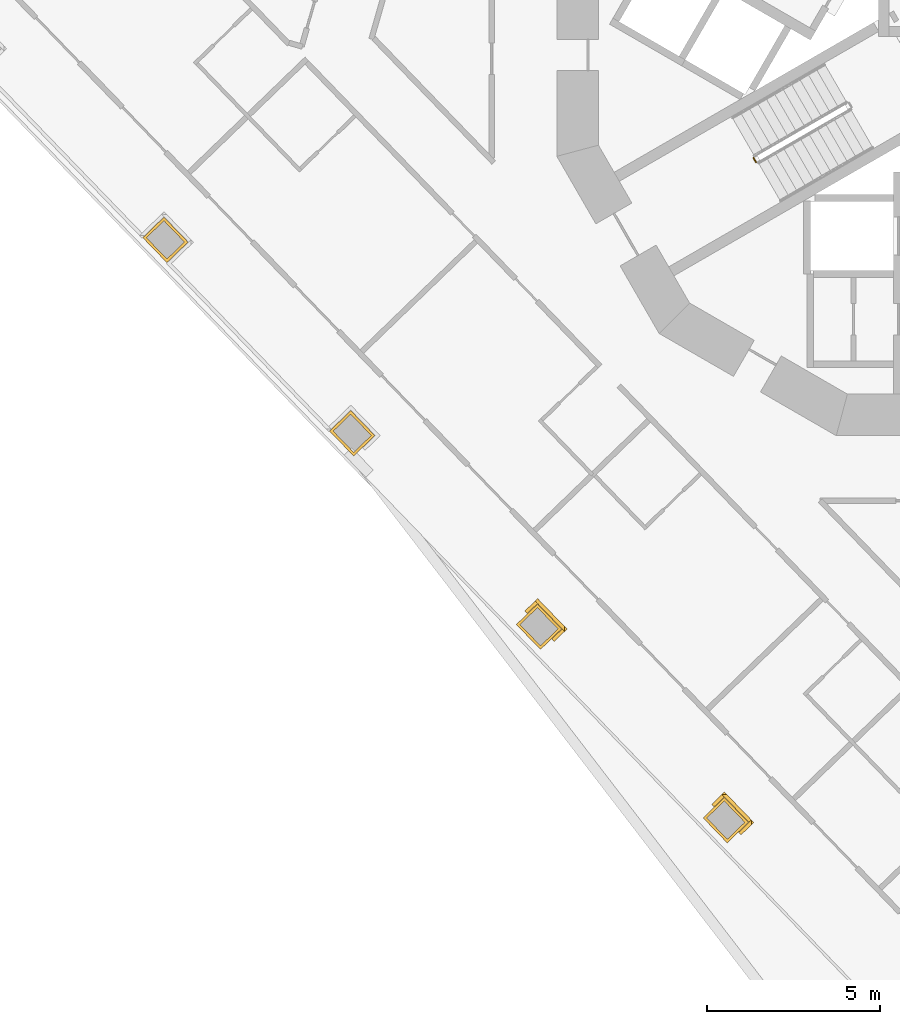
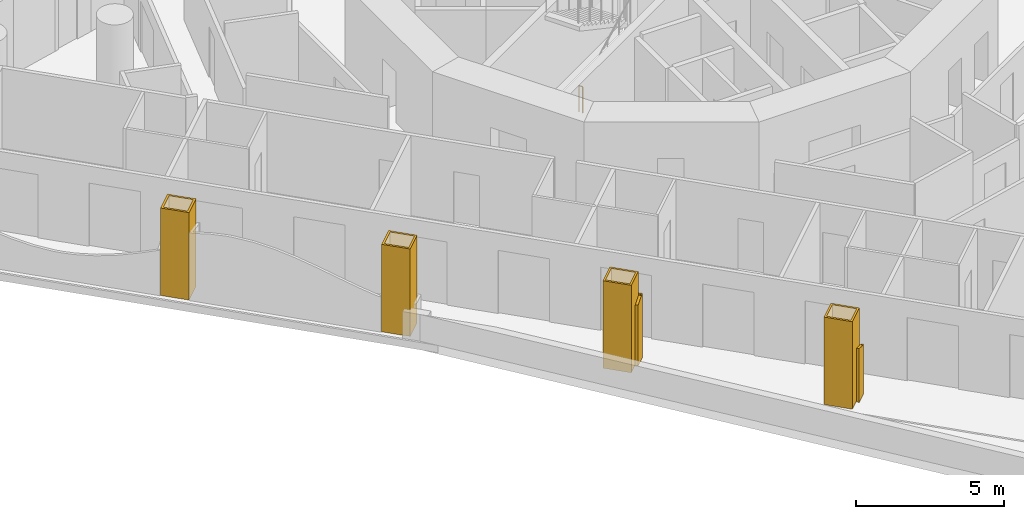
# One storey, part 12 of 19: 4 coverings, 3 railings.
"""IFC4 building model written with IfcOpenShell, lengths in metres."""

from ifc_helpers import new_model, si_unit, direction, frame, origin, origin_2d, place, context, subcontext, project, spatial, polyline, circle, outline, extrude, material, layer, layer_set, type_object, element, save


model = new_model("IFC4")

# Units and contexts
model_context = context("Model", 3, precision=1e-05, world=origin(), true_north=direction((0.0, 1.0)))
body_context = subcontext(model_context, "Body", "Model", "MODEL_VIEW")
ifc_project = project(units=[si_unit("LENGTHUNIT", "METRE"), si_unit("AREAUNIT", "SQUARE_METRE"), si_unit("VOLUMEUNIT", "CUBIC_METRE"), si_unit("PLANEANGLEUNIT", "RADIAN"), si_unit("MASSUNIT", "GRAM", prefix="KILO")], contexts=[model_context])

# Site, building, storey
site_placement = place(None, origin())
site = spatial("IfcSite", under=ifc_project, at=site_placement, CompositionType="ELEMENT")
building_placement = place(site_placement, origin())
building = spatial("IfcBuilding", under=site, at=building_placement, Name="Trine Commons Tower", CompositionType="ELEMENT")
storey_placement = place(building_placement, frame((0.0, 0.0, 87.300048828125)))
storey = spatial("IfcBuildingStorey", under=building, at=storey_placement, Name="L21", CompositionType="ELEMENT", Elevation=87.300048828125)

# Coverings
ifc_material_1 = material(Name="Limestone, honed", Category="masonry")
ifc_layer_1 = layer(ifc_material_1, 0.074951171875)
ifc_layer_set_1 = layer_set([ifc_layer_1], Name="Limestone, honed")
covering_type = type_object("IfcCoveringType", Name="Limestone column cladding 75", PredefinedType="CLADDING", material=ifc_layer_set_1)
covering_1_placement = place(storey_placement, origin())
element("IfcCovering", 1, at=covering_1_placement, inside=storey, type_object=covering_type, Name="Limestone pier cladding 3-03", PredefinedType="CLADDING", context=body_context, shape_type="SweptSolid", body=[
    extrude(outline(polyline([(73.8212890625, 41.0517578125), (73.209716796875, 40.461181640625), (73.904296875, 39.741943359375), (74.515869140625, 40.33251953125), (73.8212890625, 41.0517578125)]), holes=[polyline([(73.8193359375, 40.945556640625), (73.31591796875, 40.45947265625), (73.90625, 39.847900390625), (74.409912109375, 40.334228515625), (73.8193359375, 40.945556640625)])]), origin(), (0.0, 0.0, 1.0), 3.599853515625),
])
covering_2_placement = place(storey_placement, origin())
element("IfcCovering", 2, at=covering_2_placement, inside=storey, type_object=covering_type, Name="Limestone pier cladding 3-04", PredefinedType="CLADDING", context=body_context, shape_type="SweptSolid", body=[
    extrude(outline(polyline([(68.432373046875, 46.632080078125), (67.82080078125, 46.04150390625), (68.515380859375, 45.322265625), (69.126953125, 45.912841796875), (68.432373046875, 46.632080078125)]), holes=[polyline([(68.430419921875, 46.52587890625), (67.927001953125, 46.039794921875), (68.517333984375, 45.428466796875), (69.02099609375, 45.91455078125), (68.430419921875, 46.52587890625)])]), origin(), (0.0, 0.0, 1.0), 3.599853515625),
])
covering_3_placement = place(storey_placement, origin())
element("IfcCovering", 3, at=covering_3_placement, inside=storey, type_object=covering_type, Name="Limestone pier cladding 3-05", PredefinedType="CLADDING", context=body_context, shape_type="SweptSolid", body=[
    extrude(outline(polyline([(63.04345703125, 52.21240234375), (62.431884765625, 51.6220703125), (63.126708984375, 50.902587890625), (63.738037109375, 51.4931640625), (63.04345703125, 52.21240234375)]), holes=[polyline([(63.04150390625, 52.1064453125), (62.5380859375, 51.6201171875), (63.12841796875, 51.0087890625), (63.632080078125, 51.4951171875), (63.04150390625, 52.1064453125)])]), origin(), (0.0, 0.0, 1.0), 3.599853515625),
])
covering_4_placement = place(storey_placement, origin())
element("IfcCovering", 4, at=covering_4_placement, inside=storey, type_object=covering_type, Name="Limestone pier cladding 3-06", PredefinedType="CLADDING", context=body_context, shape_type="SweptSolid", body=[
    extrude(outline(polyline([(57.654296875, 57.792724609375), (57.04296875, 57.202392578125), (57.737548828125, 56.48291015625), (58.34912109375, 57.073486328125), (57.654296875, 57.792724609375)]), holes=[polyline([(57.652587890625, 57.686767578125), (57.14892578125, 57.200439453125), (57.739501953125, 56.589111328125), (58.242919921875, 57.0751953125), (57.652587890625, 57.686767578125)])]), origin(), (0.0, 0.0, 1.0), 3.599853515625),
])

# Railings
ifc_material_2 = material(Name="Stainless steel balustrade", Category="steel")
railing_type_1 = type_object("IfcRailingType", Name="Stair guard, steel balustrade 1100", PredefinedType="GUARDRAIL", material=ifc_material_2)
railing_1_placement = place(storey_placement, frame((74.73681640625, 59.374755859375, 0.0)))
element("IfcRailing", 5, at=railing_1_placement, inside=storey, type_object=railing_type_1, Name="L21 ST2A stair guard 4", PredefinedType="GUARDRAIL", context=body_context, shape_type="SweptSolid", body=[
    extrude(circle(Radius=0.02392578125, at=origin_2d()), frame((0.0, 0.0, 1.076171875), z_axis=(-0.499816412211, 0.866131372301, 0.0), x_axis=(-0.866131372301, -0.499816412211, 0.0)), (0.0, 0.0, 1.0), 0.14990234375),
    extrude(circle(Radius=0.02099609375, at=origin_2d()), origin(), (0.0, 0.0, 1.0), 1.052001953125),
    extrude(circle(Radius=0.02099609375, at=origin_2d()), frame((-0.074951171875, 0.1298828125, 0.0)), (0.0, 0.0, 1.0), 1.052001953125),
])
ifc_material_3 = material(Name="White powder-coated aluminium", Category="aluminium")
ifc_layer_2 = layer(ifc_material_3, 0.10009765625)
ifc_layer_set_2 = layer_set([ifc_layer_2], Name="White powder-coated aluminium")
railing_type_2 = type_object("IfcRailingType", Name="White balustrade band 100", PredefinedType="GUARDRAIL", material=ifc_layer_set_2)
railing_2_placement = place(storey_placement, origin())
element("IfcRailing", 6, at=railing_2_placement, inside=storey, type_object=railing_type_2, Name="Guard band L21 2", PredefinedType="GUARDRAIL", context=body_context, shape_type="SweptSolid", body=[
    extrude(outline(polyline([(0.0, 0.0), (0.516357421875, 0.0), (0.51611328125, 2.025634765625), (0.51611328125, 2.025634765625), (0.022705078125, 2.209228515625), (0.0, 2.217041015625), (0.0, 0.0)])), frame((74.2314453125, 40.043701171875, 0.0), z_axis=(0.694704220652, -0.719295520498, 0.0), x_axis=(0.719295520498, 0.694704220652, 0.0)), (0.0, 0.0, 1.0), 0.10009765625),
    extrude(outline(polyline([(0.0, 0.0), (1.2216796875, 0.0), (1.2216796875, 1.6171875), (0.61083984375, 1.835205078125), (0.0, 2.063720703125), (0.0, 0.0)])), frame((74.599853515625, 40.260009765625, 0.0), z_axis=(0.719291252583, 0.694708639616, 0.0), x_axis=(-0.694708639616, 0.719291252583, 0.0)), (0.0, 0.0, 1.0), 0.10009765625),
    extrude(outline(polyline([(0.0, 0.0), (0.515380859375, 0.0), (0.515380859375, 1.4833984375), (0.493408203125, 1.48974609375), (0.0, 1.65234375), (0.0, 0.0)])), frame((73.8935546875, 41.1357421875, 0.0), z_axis=(-0.694924138915, 0.71908305581, 0.0), x_axis=(-0.71908305581, -0.694924138915, 0.0)), (0.0, 0.0, 1.0), 0.10009765625),
])
railing_3_placement = place(storey_placement, origin())
element("IfcRailing", 7, at=railing_3_placement, inside=storey, type_object=railing_type_2, Name="Guard band L21 3", PredefinedType="GUARDRAIL", context=body_context, shape_type="SweptSolid", body=[
    extrude(outline(polyline([(0.0, 0.0), (0.515869140625, 0.0), (0.515869140625, 2.65087890625), (0.515869140625, 2.65087890625), (0.0224609375, 2.510009765625), (0.0, 2.502685546875), (0.0, 0.0)])), frame((68.842529296875, 45.6240234375, 0.0), z_axis=(0.694695849987, -0.719303604892, 0.0), x_axis=(0.719303604892, 0.694695849987, 0.0)), (0.0, 0.0, 1.0), 0.10009765625),
    extrude(outline(polyline([(0.0, 0.0), (1.2216796875, 0.0), (1.2216796875, 2.861328125), (0.61083984375, 2.767333984375), (0.0, 2.6240234375), (0.0, 0.0)])), frame((69.21142578125, 45.840087890625, 0.0), z_axis=(0.719191390085, 0.694812020929, 0.0), x_axis=(-0.694812020929, 0.719191390085, 0.0)), (0.0, 0.0, 1.0), 0.10009765625),
    extrude(outline(polyline([(0.0, 0.0), (0.515625, 0.0), (0.515380859375, 2.780029296875), (0.493408203125, 2.780029296875), (0.0, 2.849365234375), (0.0, 0.0)])), frame((68.5048828125, 46.716064453125, 0.0), z_axis=(-0.694687468019, 0.719311700014, 0.0), x_axis=(-0.719311700014, -0.694687468019, 0.0)), (0.0, 0.0, 1.0), 0.10009765625),
])

save(model, "model.ifc")
